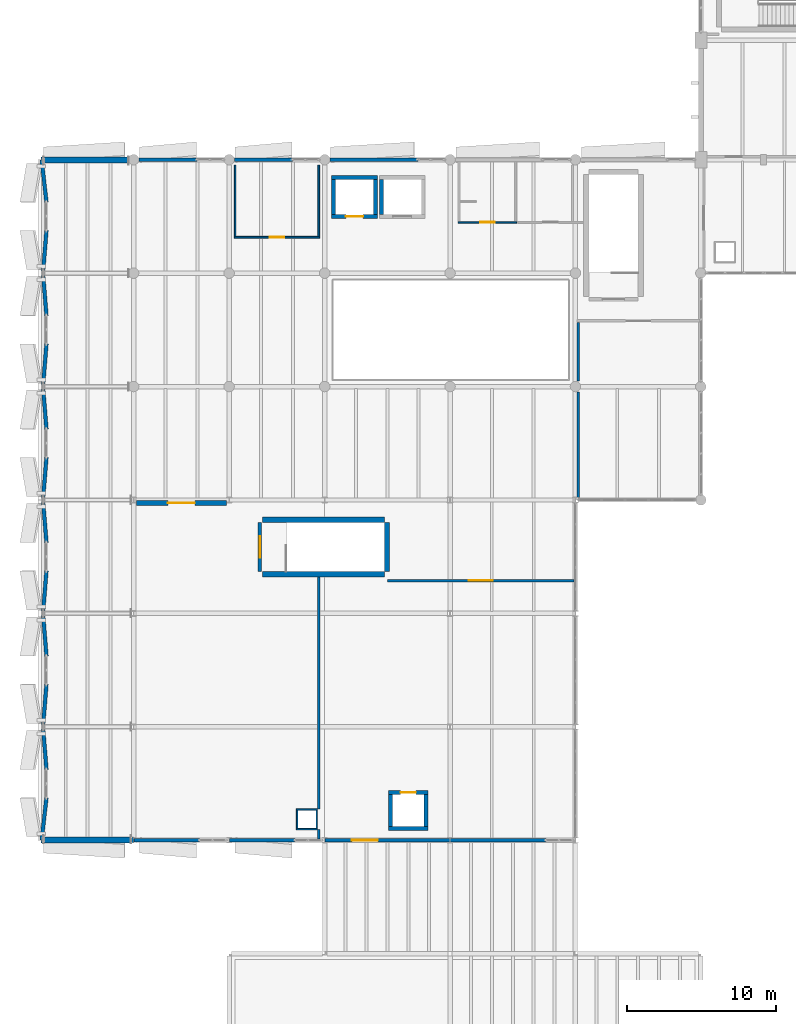
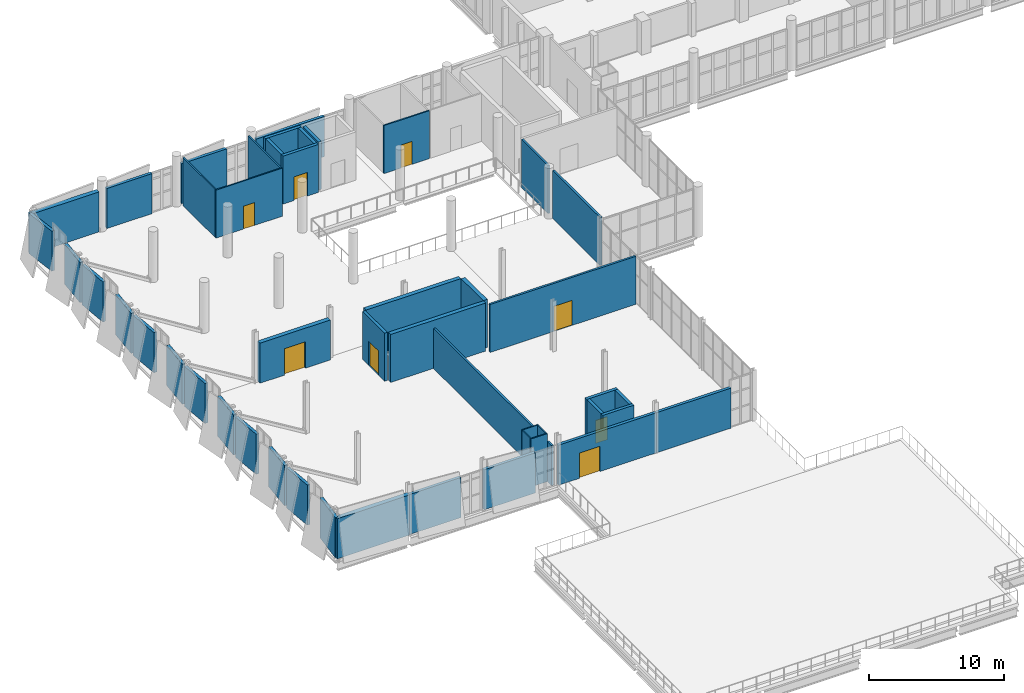
# One storey, part 59 of 74: 48 walls, 8 doors, 8 openings.
"""IFC4 building model written with IfcOpenShell, lengths in metres."""

from ifc_helpers import new_model, si_unit, direction, frame, frame_2d, origin, place, context, subcontext, project, spatial, rectangle, extrude, material, layer, layer_set, type_object, element, fill, save


model = new_model("IFC4")

# Units and contexts
model_context = context("Model", 3, precision=1e-05, world=origin(), true_north=direction((0.0, 1.0)))
body_context = subcontext(model_context, "Body", "Model", "MODEL_VIEW")
ifc_project = project(units=[si_unit("LENGTHUNIT", "METRE"), si_unit("AREAUNIT", "SQUARE_METRE"), si_unit("VOLUMEUNIT", "CUBIC_METRE"), si_unit("PLANEANGLEUNIT", "RADIAN"), si_unit("MASSUNIT", "GRAM", prefix="KILO")], contexts=[model_context])

# Site, building, storey
site_placement = place(None, origin())
site = spatial("IfcSite", under=ifc_project, at=site_placement, CompositionType="ELEMENT")
building_placement = place(site_placement, origin())
building = spatial("IfcBuilding", under=site, at=building_placement, Name="Shengluoqiao Park Theatre", CompositionType="ELEMENT")
storey_placement = place(building_placement, frame((0.0, 0.0, 14.60009765625)))
storey = spatial("IfcBuildingStorey", under=building, at=storey_placement, Name="L03", CompositionType="ELEMENT", Elevation=14.60009765625)

# Walls
ifc_material_1 = material(Name="Concrete C45", Category="concrete")
ifc_layer_1 = layer(ifc_material_1, 0.3798828125, Name="Concrete C45")
ifc_layer_set_1 = layer_set([ifc_layer_1], Name="Concrete C45")
wall_type_1 = type_object("IfcWallType", Name="ENV-WL-CONC380", PredefinedType="STANDARD", material=ifc_layer_set_1)
wall_1_placement = place(storey_placement, frame((0.179931640625, 30.419921875, 0.0), z_axis=(0.0, 0.0, 1.0), x_axis=(1.0, 0.0, 0.0)))
element("IfcWall", 1, at=wall_1_placement, inside=storey, type_object=wall_type_1, Name="L03 Exterior Wall 0101", PredefinedType="STANDARD", context=body_context, shape_type="SweptSolid", body=[
    extrude(rectangle(XDim=6.2099609375, YDim=0.3798828125, at=frame_2d((3.10498046875, 0.0))), origin(), (0.0, 0.0, 1.0), 3.637939453125),
])
wall_2_placement = place(storey_placement, frame((0.179931640625, 75.97998046875, 0.0), z_axis=(0.0, 0.0, 1.0), x_axis=(1.0, 0.0, 0.0)))
element("IfcWall", 2, at=wall_2_placement, inside=storey, type_object=wall_type_1, Name="L03 Exterior Wall 0125", PredefinedType="STANDARD", context=body_context, shape_type="SweptSolid", body=[
    extrude(rectangle(XDim=5.865966796875, YDim=0.3798828125, at=frame_2d((2.93310546875, 0.0))), origin(), (0.0, 0.0, 1.0), 3.637939453125),
])
ifc_material_2 = material(Name="Precast concrete C45", Category="concrete")
ifc_layer_2 = layer(ifc_material_2, 0.25, Name="Precast concrete C45")
ifc_layer_set_2 = layer_set([ifc_layer_2], Name="Precast concrete C45")
wall_type_2 = type_object("IfcWallType", Name="ENV-WL-CRYS250", PredefinedType="STANDARD", material=ifc_layer_set_2)
wall_3_placement = place(storey_placement, frame((6.409912109375, 30.39990234375, 0.0), z_axis=(0.0, 0.0, 1.0), x_axis=(1.0, 0.0, 0.0)))
element("IfcWall", 3, at=wall_3_placement, inside=storey, type_object=wall_type_2, Name="L03 Exterior Wall 0102", PredefinedType="STANDARD", context=body_context, shape_type="SweptSolid", body=[
    extrude(rectangle(XDim=4.412109375, YDim=0.25, at=frame_2d((2.2060546875, 0.0))), origin(), (0.0, 0.0, 1.0), 3.637939453125),
])
wall_4_placement = place(storey_placement, frame((12.81005859375, 30.39990234375, 0.0), z_axis=(0.0, 0.0, 1.0), x_axis=(1.0, 0.0, 0.0)))
element("IfcWall", 4, at=wall_4_placement, inside=storey, type_object=wall_type_2, Name="L03 Exterior Wall 0103", PredefinedType="STANDARD", context=body_context, shape_type="SweptSolid", body=[
    extrude(rectangle(XDim=4.411865234375, YDim=0.25, at=frame_2d((2.2060546875, 0.0))), origin(), (0.0, 0.0, 1.0), 3.637939453125),
])

# Wall, opening, door
wall_5_placement = place(storey_placement, frame((19.2099609375, 30.39990234375, 0.0), z_axis=(0.0, 0.0, 1.0), x_axis=(1.0, 0.0, 0.0)))
wall_5 = element("IfcWall", 5, at=wall_5_placement, inside=storey, type_object=wall_type_2, Name="L03 Exterior Wall 0104", PredefinedType="STANDARD", context=body_context, shape_type="SweptSolid", body=[
    extrude(rectangle(XDim=8.380126953125, YDim=0.25, at=frame_2d((4.18994140625, 0.0))), origin(), (0.0, 0.0, 1.0), 3.637939453125),
])
opening_1_placement = place(wall_5_placement, frame((1.806640625, 0.0, 0.0)))
opening_1 = element("IfcOpeningElement", 6, at=opening_1_placement, cuts=wall_5, Name="Opening TD-RG4-006", PredefinedType="OPENING", context=body_context, shape_type="SweptSolid", body=[
    extrude(rectangle(XDim=1.75, YDim=2.300048828125, at=frame_2d((0.875, 1.14990234375))), frame((0.0, 0.135009765625, 0.0), z_axis=(0.0, -1.0, 0.0), x_axis=(1.0, 0.0, 0.0)), (0.0, 0.0, 1.0), 0.27001953125),
])
ifc_material_3 = material(Name="Aluminium 6063-T6", Category="aluminium")
door_type_1 = type_object("IfcDoorType", Name="ENV-DR-TER175", OperationType="DOUBLE_DOOR_SINGLE_SWING", PredefinedType="DOOR", material=ifc_material_3)
door_1_placement = place(opening_1_placement, origin())
door_1 = element("IfcDoor", 7, at=door_1_placement, inside=storey, type_object=door_type_1, Name="V4 Roof Garden Salon Terrace Door TD-RG4-006", OperationType="DOUBLE_DOOR_SINGLE_SWING", OverallHeight=2.300048828125, OverallWidth=1.75, PredefinedType="DOOR", context=body_context, shape_type="SweptSolid", body=[
    extrude(rectangle(XDim=1.75, YDim=2.300048828125, at=frame_2d((0.875, 1.14990234375))), frame((0.0, 0.02490234375, 0.0), z_axis=(0.0, -1.0, 0.0), x_axis=(1.0, 0.0, 0.0)), (0.0, 0.0, 1.0), 0.050048828125),
])
fill(opening_1, door_1)

# Walls
wall_6_placement = place(storey_placement, frame((27.610107421875, 30.39990234375, 0.0), z_axis=(0.0, 0.0, 1.0), x_axis=(1.0, 0.0, 0.0)))
element("IfcWall", 8, at=wall_6_placement, inside=storey, type_object=wall_type_2, Name="L03 Exterior Wall 0105", PredefinedType="STANDARD", context=body_context, shape_type="SweptSolid", body=[
    extrude(rectangle(XDim=6.411865234375, YDim=0.25, at=frame_2d((3.2060546875, 0.0))), origin(), (0.0, 0.0, 1.0), 3.637939453125),
])
wall_7_placement = place(storey_placement, frame((6.75390625, 76.0, 0.0), z_axis=(0.0, 0.0, 1.0), x_axis=(1.0, 0.0, 0.0)))
element("IfcWall", 9, at=wall_7_placement, inside=storey, type_object=wall_type_2, Name="L03 Exterior Wall 0126", PredefinedType="STANDARD", context=body_context, shape_type="SweptSolid", body=[
    extrude(rectangle(XDim=3.89208984375, YDim=0.25, at=frame_2d((1.946044921875, 0.0))), origin(), (0.0, 0.0, 1.0), 3.637939453125),
])
wall_8_placement = place(storey_placement, frame((13.154052734375, 76.0, 0.0), z_axis=(0.0, 0.0, 1.0), x_axis=(1.0, 0.0, 0.0)))
element("IfcWall", 10, at=wall_8_placement, inside=storey, type_object=wall_type_2, Name="L03 Exterior Wall 0127", PredefinedType="STANDARD", context=body_context, shape_type="SweptSolid", body=[
    extrude(rectangle(XDim=3.891845703125, YDim=0.25, at=frame_2d((1.94580078125, 0.0))), origin(), (0.0, 0.0, 1.0), 3.637939453125),
])
wall_9_placement = place(storey_placement, frame((19.553955078125, 76.0, 0.0), z_axis=(0.0, 0.0, 1.0), x_axis=(1.0, 0.0, 0.0)))
element("IfcWall", 11, at=wall_9_placement, inside=storey, type_object=wall_type_2, Name="L03 Exterior Wall 0128", PredefinedType="STANDARD", context=body_context, shape_type="SweptSolid", body=[
    extrude(rectangle(XDim=5.89208984375, YDim=0.25, at=frame_2d((2.946044921875, 0.0))), origin(), (0.0, 0.0, 1.0), 3.637939453125),
])
wall_10_placement = place(storey_placement, frame((0.239990234375, 30.419921875, 0.0), z_axis=(0.0, 0.0, 1.0), x_axis=(0.111987730746, 0.993709589449, 0.0)))
element("IfcWall", 12, at=wall_10_placement, inside=storey, type_object=wall_type_2, Name="L03 Exterior Wall 0350", PredefinedType="STANDARD", context=body_context, shape_type="SweptSolid", body=[
    extrude(rectangle(XDim=2.858154296875, YDim=0.25, at=frame_2d((1.42919921875, 0.0))), origin(), (0.0, 0.0, 1.0), 3.637939453125),
])
for number, where, z_axis, x_axis, name in (
    (13, (0.56005859375, 35.139892578125, 0.0), (0.0, 0.0, 1.0), (-0.080753299301, 0.996734119338, 0.0), "L03 Exterior Wall 0351"),
    (14, (0.340087890625, 38.14501953125, 0.0), (0.0, 0.0, 1.0), (0.080753299301, 0.996734119338, 0.0), "L03 Exterior Wall 0352"),
    (15, (0.56005859375, 42.739990234375, 0.0), (0.0, 0.0, 1.0), (-0.080753299301, 0.996734119338, 0.0), "L03 Exterior Wall 0353"),
):
    element("IfcWall", number, at=place(storey_placement, frame(where, z_axis=z_axis, x_axis=x_axis)), inside=storey, type_object=wall_type_2, Name=name, PredefinedType="STANDARD", context=body_context, shape_type="SweptSolid", body=[
        extrude(rectangle(XDim=2.723876953125, YDim=0.25, at=frame_2d((1.36181640625, 0.0))), origin(), (0.0, 0.0, 1.0), 3.637939453125),
    ])
for number, where, z_axis, x_axis, name in (
    (16, (0.340087890625, 45.7451171875, 0.0), (0.0, 0.0, 1.0), (0.080760513926, 0.996733534798, 0.0), "L03 Exterior Wall 0354"),
    (17, (0.56005859375, 50.340087890625, 0.0), (0.0, 0.0, 1.0), (-0.080760513926, 0.996733534798, 0.0), "L03 Exterior Wall 0355"),
):
    element("IfcWall", number, at=place(storey_placement, frame(where, z_axis=z_axis, x_axis=x_axis)), inside=storey, type_object=wall_type_2, Name=name, PredefinedType="STANDARD", context=body_context, shape_type="SweptSolid", body=[
        extrude(rectangle(XDim=2.7236328125, YDim=0.25, at=frame_2d((1.36181640625, 0.0))), origin(), (0.0, 0.0, 1.0), 3.637939453125),
    ])
for number, where, z_axis, x_axis, name in (
    (18, (0.340087890625, 53.344970703125, 0.0), (0.0, 0.0, 1.0), (0.080753299301, 0.996734119338, 0.0), "L03 Exterior Wall 0356"),
    (19, (0.56005859375, 57.93994140625, 0.0), (0.0, 0.0, 1.0), (-0.080753299301, 0.996734119338, 0.0), "L03 Exterior Wall 0357"),
):
    element("IfcWall", number, at=place(storey_placement, frame(where, z_axis=z_axis, x_axis=x_axis)), inside=storey, type_object=wall_type_2, Name=name, PredefinedType="STANDARD", context=body_context, shape_type="SweptSolid", body=[
        extrude(rectangle(XDim=2.723876953125, YDim=0.25, at=frame_2d((1.36181640625, 0.0))), origin(), (0.0, 0.0, 1.0), 3.637939453125),
    ])
for number, where, z_axis, x_axis, name in (
    (20, (0.340087890625, 60.945068359375, 0.0), (0.0, 0.0, 1.0), (0.080760513926, 0.996733534798, 0.0), "L03 Exterior Wall 0358"),
    (21, (0.56005859375, 65.5400390625, 0.0), (0.0, 0.0, 1.0), (-0.080760513926, 0.996733534798, 0.0), "L03 Exterior Wall 0359"),
):
    element("IfcWall", number, at=place(storey_placement, frame(where, z_axis=z_axis, x_axis=x_axis)), inside=storey, type_object=wall_type_2, Name=name, PredefinedType="STANDARD", context=body_context, shape_type="SweptSolid", body=[
        extrude(rectangle(XDim=2.7236328125, YDim=0.25, at=frame_2d((1.36181640625, 0.0))), origin(), (0.0, 0.0, 1.0), 3.637939453125),
    ])
wall_11_placement = place(storey_placement, frame((0.340087890625, 68.544921875, 0.0), z_axis=(0.0, 0.0, 1.0), x_axis=(0.080753299301, 0.996734119338, 0.0)))
element("IfcWall", 22, at=wall_11_placement, inside=storey, type_object=wall_type_2, Name="L03 Exterior Wall 0360", PredefinedType="STANDARD", context=body_context, shape_type="SweptSolid", body=[
    extrude(rectangle(XDim=2.723876953125, YDim=0.25, at=frame_2d((1.36181640625, 0.0))), origin(), (0.0, 0.0, 1.0), 3.637939453125),
])
wall_12_placement = place(storey_placement, frame((0.56005859375, 73.139892578125, 0.0), z_axis=(0.0, 0.0, 1.0), x_axis=(-0.111987730746, 0.993709589449, 0.0)))
element("IfcWall", 23, at=wall_12_placement, inside=storey, type_object=wall_type_2, Name="L03 Exterior Wall 0361", PredefinedType="STANDARD", context=body_context, shape_type="SweptSolid", body=[
    extrude(rectangle(XDim=2.858154296875, YDim=0.25, at=frame_2d((1.42919921875, 0.0))), origin(), (0.0, 0.0, 1.0), 3.637939453125),
])

# Wall, opening, door
ifc_material_4 = material(Name="Gypsum acoustic stud", Category="gypsum")
ifc_layer_3 = layer(ifc_material_4, 0.360107421875, Name="Gypsum acoustic stud")
ifc_layer_set_3 = layer_set([ifc_layer_3], Name="Gypsum acoustic stud")
wall_type_3 = type_object("IfcWallType", Name="INT-WL-ACO360", PredefinedType="PARTITIONING", material=ifc_layer_set_3)
wall_13_placement = place(storey_placement, frame((6.580078125, 53.0, 0.0), z_axis=(0.0, 0.0, 1.0), x_axis=(1.0, 0.0, 0.0)))
wall_13 = element("IfcWall", 24, at=wall_13_placement, inside=storey, type_object=wall_type_3, Name="Chamber Recital and Lecture Hall Partition N", PredefinedType="PARTITIONING", context=body_context, shape_type="SweptSolid", body=[
    extrude(rectangle(XDim=6.037841796875, YDim=0.360107421875, at=frame_2d((3.01904296875, 0.0))), origin(), (0.0, 0.0, 1.0), 3.637939453125),
])
opening_2_placement = place(wall_13_placement, frame((2.118896484375, 0.0, 0.0)))
opening_2 = element("IfcOpeningElement", 25, at=opening_2_placement, cuts=wall_13, Name="Opening D-L03-086", PredefinedType="OPENING", context=body_context, shape_type="SweptSolid", body=[
    extrude(rectangle(XDim=1.800048828125, YDim=2.39990234375, at=frame_2d((0.89990234375, 1.199951171875))), frame((0.0, 0.18994140625, 0.0), z_axis=(0.0, -1.0, 0.0), x_axis=(1.0, 0.0, 0.0)), (0.0, 0.0, 1.0), 0.380126953125),
])
ifc_material_5 = material(Name="Acoustic timber", Category="wood")
door_type_2 = type_object("IfcDoorType", Name="INT-DR-AUD180", OperationType="DOUBLE_DOOR_SINGLE_SWING", PredefinedType="DOOR", material=ifc_material_5)
door_2_placement = place(opening_2_placement, origin())
door_2 = element("IfcDoor", 26, at=door_2_placement, inside=storey, type_object=door_type_2, Name="Chamber Recital and Lecture Hall Door D-L03-086", OperationType="DOUBLE_DOOR_SINGLE_SWING", OverallHeight=2.39990234375, OverallWidth=1.800048828125, PredefinedType="DOOR", context=body_context, shape_type="SweptSolid", body=[
    extrude(rectangle(XDim=1.800048828125, YDim=2.39990234375, at=frame_2d((0.89990234375, 1.199951171875))), frame((0.0, 0.02490234375, 0.0), z_axis=(0.0, -1.0, 0.0), x_axis=(1.0, 0.0, 0.0)), (0.0, 0.0, 1.0), 0.050048828125),
])
fill(opening_2, door_2)

ifc_layer_4 = layer(ifc_material_4, 0.175048828125, Name="Gypsum acoustic stud")
ifc_layer_set_4 = layer_set([ifc_layer_4], Name="Gypsum acoustic stud")
wall_type_4 = type_object("IfcWallType", Name="INT-WL-COR175", PredefinedType="PARTITIONING", material=ifc_layer_set_4)
wall_14_placement = place(storey_placement, frame((23.39501953125, 47.800048828125, 0.0), z_axis=(0.0, 0.0, 1.0), x_axis=(1.0, 0.0, 0.0)))
wall_14 = element("IfcWall", 27, at=wall_14_placement, inside=storey, type_object=wall_type_4, Name="Chamber Recital South Foyer Partition N", PredefinedType="PARTITIONING", context=body_context, shape_type="SweptSolid", body=[
    extrude(rectangle(XDim=12.51708984375, YDim=0.175048828125, at=frame_2d((6.258544921875, 0.0))), origin(), (0.0, 0.0, 1.0), 4.35986328125),
])
opening_3_placement = place(wall_14_placement, frame((5.468505859375, 0.0, 0.0)))
opening_3 = element("IfcOpeningElement", 28, at=opening_3_placement, cuts=wall_14, Name="Opening D-L03-085", PredefinedType="OPENING", context=body_context, shape_type="SweptSolid", body=[
    extrude(rectangle(XDim=1.580078125, YDim=2.280029296875, at=frame_2d((0.7900390625, 1.14013671875))), frame((0.0, 0.097412109375, 0.0), z_axis=(0.0, -1.0, 0.0), x_axis=(1.0, 0.0, 0.0)), (0.0, 0.0, 1.0), 0.195068359375),
])
door_type_3 = type_object("IfcDoorType", Name="INT-DR-FOY158", OperationType="DOUBLE_DOOR_SINGLE_SWING", PredefinedType="DOOR", material=ifc_material_3)
door_3_placement = place(opening_3_placement, origin())
door_3 = element("IfcDoor", 29, at=door_3_placement, inside=storey, type_object=door_type_3, Name="Chamber Recital South Foyer Door D-L03-085", OperationType="DOUBLE_DOOR_SINGLE_SWING", OverallHeight=2.280029296875, OverallWidth=1.580078125, PredefinedType="DOOR", context=body_context, shape_type="SweptSolid", body=[
    extrude(rectangle(XDim=1.580078125, YDim=2.280029296875, at=frame_2d((0.7900390625, 1.14013671875))), frame((0.0, 0.02490234375, 0.0), z_axis=(0.0, -1.0, 0.0), x_axis=(1.0, 0.0, 0.0)), (0.0, 0.0, 1.0), 0.050048828125),
])
fill(opening_3, door_3)

# Walls
wall_15_placement = place(storey_placement, frame((18.800048828125, 30.488037109375, 0.0), z_axis=(0.0, 0.0, 1.0), x_axis=(0.0, 1.0, 0.0)))
element("IfcWall", 30, at=wall_15_placement, inside=storey, type_object=wall_type_4, Name="Chamber Recital South Foyer Partition W", PredefinedType="PARTITIONING", context=body_context, shape_type="SweptSolid", body=[
    extrude(rectangle(XDim=0.6494140625, YDim=0.175048828125, at=frame_2d((0.32470703125, 0.0))), origin(), (0.0, 0.0, 1.0), 3.637939453125),
])
wall_16_placement = place(storey_placement, frame((18.800048828125, 32.482421875, 0.0), z_axis=(0.0, 0.0, 1.0), x_axis=(0.0, 1.0, 0.0)))
element("IfcWall", 31, at=wall_16_placement, inside=storey, type_object=wall_type_4, Name="Chamber Recital South Foyer Partition W", PredefinedType="PARTITIONING", context=body_context, shape_type="SweptSolid", body=[
    extrude(rectangle(XDim=15.5546875, YDim=0.175048828125, at=frame_2d((7.77734375, 0.0))), origin(), (0.0, 0.0, 1.0), 3.637939453125),
])
wall_17_placement = place(storey_placement, frame((36.199951171875, 53.3798828125, 0.0), z_axis=(0.0, 0.0, 1.0), x_axis=(0.0, 1.0, 0.0)))
element("IfcWall", 32, at=wall_17_placement, inside=storey, type_object=wall_type_4, Name="Sky Atrium East Reception Salon Partition W", PredefinedType="PARTITIONING", context=body_context, shape_type="SweptSolid", body=[
    extrude(rectangle(XDim=7.064208984375, YDim=0.175048828125, at=frame_2d((3.5322265625, 0.0))), origin(), (0.0, 0.0, 1.0), 4.35986328125),
])
wall_18_placement = place(storey_placement, frame((36.199951171875, 61.156005859375, 0.0), z_axis=(0.0, 0.0, 1.0), x_axis=(0.0, 1.0, 0.0)))
element("IfcWall", 33, at=wall_18_placement, inside=storey, type_object=wall_type_4, Name="Sky Atrium East Reception Salon Partition W", PredefinedType="PARTITIONING", context=body_context, shape_type="SweptSolid", body=[
    extrude(rectangle(XDim=3.950439453125, YDim=0.175048828125, at=frame_2d((1.97509765625, 0.0))), origin(), (0.0, 0.0, 1.0), 4.35986328125),
])
ifc_material_6 = material(Name="Gypsum shaftwall", Category="gypsum")
ifc_layer_5 = layer(ifc_material_6, 0.094970703125, Name="Gypsum shaftwall")
ifc_layer_set_5 = layer_set([ifc_layer_5], Name="Gypsum shaftwall")
wall_type_5 = type_object("IfcWallType", Name="INT-WL-RSR095", PredefinedType="PARTITIONING", material=ifc_layer_set_5)
for number, where, z_axis, x_axis, name in (
    (34, (17.304931640625, 31.14990234375, 0.0), (0.0, 0.0, 1.0), (1.0, 0.0, 0.0), "L03 Service Riser Shaftwall 157"),
    (35, (17.304931640625, 32.469970703125, 0.0), (0.0, 0.0, 1.0), (1.0, 0.0, 0.0), "L03 Service Riser Shaftwall 158"),
):
    element("IfcWall", number, at=place(storey_placement, frame(where, z_axis=z_axis, x_axis=x_axis)), inside=storey, type_object=wall_type_5, Name=name, PredefinedType="PARTITIONING", context=body_context, shape_type="SweptSolid", body=[
        extrude(rectangle(XDim=1.41015625, YDim=0.094970703125, at=frame_2d((0.705078125, 0.0))), origin(), (0.0, 0.0, 1.0), 4.35986328125),
    ])
for number, where, z_axis, x_axis, name in (
    (36, (17.35009765625, 31.205078125, 0.0), (0.0, 0.0, 1.0), (0.0, 1.0, 0.0), "L03 Service Riser Shaftwall 159"),
    (37, (18.669921875, 31.205078125, 0.0), (0.0, 0.0, 1.0), (0.0, 1.0, 0.0), "L03 Service Riser Shaftwall 160"),
):
    element("IfcWall", number, at=place(storey_placement, frame(where, z_axis=z_axis, x_axis=x_axis)), inside=storey, type_object=wall_type_5, Name=name, PredefinedType="PARTITIONING", context=body_context, shape_type="SweptSolid", body=[
        extrude(rectangle(XDim=1.2099609375, YDim=0.094970703125, at=frame_2d((0.60498046875, 0.0))), origin(), (0.0, 0.0, 1.0), 4.35986328125),
    ])

# Wall, opening, door
ifc_material_7 = material(Name="Concrete C40", Category="concrete")
ifc_layer_6 = layer(ifc_material_7, 0.260009765625, Name="Concrete C40")
ifc_layer_set_6 = layer_set([ifc_layer_6], Name="Concrete C40")
wall_type_6 = type_object("IfcWallType", Name="INT-WL-SHF260", PredefinedType="STANDARD", material=ifc_layer_set_6)
wall_19_placement = place(storey_placement, frame((19.669921875, 72.199951171875, 0.0), z_axis=(0.0, 0.0, 1.0), x_axis=(1.0, 0.0, 0.0)))
wall_19 = element("IfcWall", 38, at=wall_19_placement, inside=storey, type_object=wall_type_6, Name="L03 PL1 Lift Shaft Wall South", PredefinedType="STANDARD", context=body_context, shape_type="SweptSolid", body=[
    extrude(rectangle(XDim=3.06005859375, YDim=0.260009765625, at=frame_2d((1.530029296875, 0.0))), origin(), (0.0, 0.0, 1.0), 4.35986328125),
])
opening_4_placement = place(wall_19_placement, frame((0.955078125, 0.0, 0.0)))
opening_4 = element("IfcOpeningElement", 39, at=opening_4_placement, cuts=wall_19, Name="Opening LD-PL1-L03", PredefinedType="OPENING", context=body_context, shape_type="SweptSolid", body=[
    extrude(rectangle(XDim=1.14990234375, YDim=2.14990234375, at=frame_2d((0.574951171875, 1.074951171875))), frame((0.0, 0.139892578125, 0.0), z_axis=(0.0, -1.0, 0.0), x_axis=(1.0, 0.0, 0.0)), (0.0, 0.0, 1.0), 0.280029296875),
])
ifc_material_8 = material(Name="Stainless steel 304", Category="steel")
door_type_4 = type_object("IfcDoorType", Name="INT-DR-LD115", OperationType="SLIDING_TO_LEFT", PredefinedType="DOOR", material=ifc_material_8)
door_4_placement = place(opening_4_placement, origin())
door_4 = element("IfcDoor", 40, at=door_4_placement, inside=storey, type_object=door_type_4, Name="PL1 Lift Landing Door LD-PL1-L03", OperationType="SLIDING_TO_LEFT", OverallHeight=2.14990234375, OverallWidth=1.14990234375, PredefinedType="DOOR", context=body_context, shape_type="SweptSolid", body=[
    extrude(rectangle(XDim=1.14990234375, YDim=2.14990234375, at=frame_2d((0.574951171875, 1.074951171875))), frame((0.0, 0.02490234375, 0.0), z_axis=(0.0, -1.0, 0.0), x_axis=(1.0, 0.0, 0.0)), (0.0, 0.0, 1.0), 0.050048828125),
])
fill(opening_4, door_4)

# Walls
wall_20_placement = place(storey_placement, frame((19.669921875, 74.800048828125, 0.0), z_axis=(0.0, 0.0, 1.0), x_axis=(1.0, 0.0, 0.0)))
element("IfcWall", 41, at=wall_20_placement, inside=storey, type_object=wall_type_6, Name="L03 PL1 Lift Shaft Wall North", PredefinedType="STANDARD", context=body_context, shape_type="SweptSolid", body=[
    extrude(rectangle(XDim=3.06005859375, YDim=0.260009765625, at=frame_2d((1.530029296875, 0.0))), origin(), (0.0, 0.0, 1.0), 4.35986328125),
])
for number, where, z_axis, x_axis, name in (
    (42, (19.800048828125, 72.3359375, 0.0), (0.0, 0.0, 1.0), (0.0, 1.0, 0.0), "L03 PL1 Lift Shaft Wall West"),
    (43, (22.60009765625, 72.3359375, 0.0), (0.0, 0.0, 1.0), (0.0, 1.0, 0.0), "L03 PL1 Lift Shaft Wall East"),
    (44, (23.0, 72.3359375, 0.0), (0.0, 0.0, 1.0), (0.0, 1.0, 0.0), "L03 PL2 Lift Shaft Wall West"),
):
    element("IfcWall", number, at=place(storey_placement, frame(where, z_axis=z_axis, x_axis=x_axis)), inside=storey, type_object=wall_type_6, Name=name, PredefinedType="STANDARD", context=body_context, shape_type="SweptSolid", body=[
        extrude(rectangle(XDim=2.328125, YDim=0.260009765625, at=frame_2d((1.1640625, 0.0))), origin(), (0.0, 0.0, 1.0), 4.35986328125),
    ])
wall_21_placement = place(storey_placement, frame((23.469970703125, 31.199951171875, 0.0), z_axis=(0.0, 0.0, 1.0), x_axis=(1.0, 0.0, 0.0)))
element("IfcWall", 45, at=wall_21_placement, inside=storey, type_object=wall_type_6, Name="L03 SL1 Lift Shaft Wall South", PredefinedType="STANDARD", context=body_context, shape_type="SweptSolid", body=[
    extrude(rectangle(XDim=2.659912109375, YDim=0.260009765625, at=frame_2d((1.330078125, 0.0))), origin(), (0.0, 0.0, 1.0), 4.35986328125),
])

# Wall, opening, door
wall_22_placement = place(storey_placement, frame((23.469970703125, 33.60009765625, 0.0), z_axis=(0.0, 0.0, 1.0), x_axis=(1.0, 0.0, 0.0)))
wall_22 = element("IfcWall", 46, at=wall_22_placement, inside=storey, type_object=wall_type_6, Name="L03 SL1 Lift Shaft Wall North", PredefinedType="STANDARD", context=body_context, shape_type="SweptSolid", body=[
    extrude(rectangle(XDim=2.659912109375, YDim=0.260009765625, at=frame_2d((1.330078125, 0.0))), origin(), (0.0, 0.0, 1.0), 4.35986328125),
])
opening_5_placement = place(wall_22_placement, frame((0.820068359375, 0.0, 0.0)))
opening_5 = element("IfcOpeningElement", 47, at=opening_5_placement, cuts=wall_22, Name="Opening LD-SL1-L03", PredefinedType="OPENING", context=body_context, shape_type="SweptSolid", body=[
    extrude(rectangle(XDim=1.02001953125, YDim=2.10009765625, at=frame_2d((0.510009765625, 1.050048828125))), frame((0.0, 0.139892578125, 0.0), z_axis=(0.0, -1.0, 0.0), x_axis=(1.0, 0.0, 0.0)), (0.0, 0.0, 1.0), 0.280029296875),
])
door_type_5 = type_object("IfcDoorType", Name="INT-DR-LD102", OperationType="SLIDING_TO_LEFT", PredefinedType="DOOR", material=ifc_material_8)
door_5_placement = place(opening_5_placement, origin())
door_5 = element("IfcDoor", 48, at=door_5_placement, inside=storey, type_object=door_type_5, Name="SL1 Lift Landing Door LD-SL1-L03", OperationType="SLIDING_TO_LEFT", OverallHeight=2.10009765625, OverallWidth=1.02001953125, PredefinedType="DOOR", context=body_context, shape_type="SweptSolid", body=[
    extrude(rectangle(XDim=1.02001953125, YDim=2.10009765625, at=frame_2d((0.510009765625, 1.050048828125))), frame((0.0, 0.02490234375, 0.0), z_axis=(0.0, -1.0, 0.0), x_axis=(1.0, 0.0, 0.0)), (0.0, 0.0, 1.0), 0.050048828125),
])
fill(opening_5, door_5)

# Walls
for number, where, z_axis, x_axis, name in (
    (49, (23.60009765625, 31.3359375, 0.0), (0.0, 0.0, 1.0), (0.0, 1.0, 0.0), "L03 SL1 Lift Shaft Wall West"),
    (50, (26.0, 31.3359375, 0.0), (0.0, 0.0, 1.0), (0.0, 1.0, 0.0), "L03 SL1 Lift Shaft Wall East"),
):
    element("IfcWall", number, at=place(storey_placement, frame(where, z_axis=z_axis, x_axis=x_axis)), inside=storey, type_object=wall_type_6, Name=name, PredefinedType="STANDARD", context=body_context, shape_type="SweptSolid", body=[
        extrude(rectangle(XDim=2.128173828125, YDim=0.260009765625, at=frame_2d((1.06396484375, 0.0))), origin(), (0.0, 0.0, 1.0), 4.35986328125),
    ])

# Wall, opening, door
ifc_layer_7 = layer(ifc_material_7, 0.239990234375, Name="Concrete C40")
ifc_layer_set_7 = layer_set([ifc_layer_7], Name="Concrete C40")
wall_type_7 = type_object("IfcWallType", Name="INT-WL-STW240", PredefinedType="STANDARD", material=ifc_layer_set_7)
wall_23_placement = place(storey_placement, frame((14.860107421875, 48.409912109375, 0.0), z_axis=(0.0, 0.0, 1.0), x_axis=(0.0, 1.0, 0.0)))
wall_23 = element("IfcWall", 51, at=wall_23_placement, inside=storey, type_object=wall_type_7, Name="L03 ST-13 Stairwell Fire Wall", PredefinedType="STANDARD", context=body_context, shape_type="SweptSolid", body=[
    extrude(rectangle(XDim=3.280029296875, YDim=0.239990234375, at=frame_2d((1.64013671875, 0.0))), origin(), (0.0, 0.0, 1.0), 4.35986328125),
])
opening_6_placement = place(wall_23_placement, frame((0.9150390625, 0.0, 0.0)))
opening_6 = element("IfcOpeningElement", 52, at=opening_6_placement, cuts=wall_23, Name="Opening SD-13-L03", PredefinedType="OPENING", context=body_context, shape_type="SweptSolid", body=[
    extrude(rectangle(XDim=1.449951171875, YDim=2.199951171875, at=frame_2d((0.72509765625, 1.10009765625))), frame((0.0, 0.1298828125, 0.0), z_axis=(0.0, -1.0, 0.0), x_axis=(1.0, 0.0, 0.0)), (0.0, 0.0, 1.0), 0.260009765625),
])
ifc_material_9 = material(Name="Steel Q355", Category="steel")
door_type_6 = type_object("IfcDoorType", Name="INT-DR-STW145", OperationType="DOUBLE_DOOR_SINGLE_SWING", PredefinedType="DOOR", material=ifc_material_9)
door_6_placement = place(opening_6_placement, origin())
door_6 = element("IfcDoor", 53, at=door_6_placement, inside=storey, type_object=door_type_6, Name="L03 ST-13 Escape Stair Door SD-13-L03", OperationType="DOUBLE_DOOR_SINGLE_SWING", OverallHeight=2.199951171875, OverallWidth=1.449951171875, PredefinedType="DOOR", context=body_context, shape_type="SweptSolid", body=[
    extrude(rectangle(XDim=1.449951171875, YDim=2.199951171875, at=frame_2d((0.72509765625, 1.10009765625))), frame((0.0, 0.02490234375, 0.0), z_axis=(0.0, -1.0, 0.0), x_axis=(1.0, 0.0, 0.0)), (0.0, 0.0, 1.0), 0.050048828125),
])
fill(opening_6, door_6)

ifc_material_10 = material(Name="Moisture-resistant board")
ifc_layer_8 = layer(ifc_material_10, 0.114990234375, Name="Moisture-resistant board")
ifc_layer_set_8 = layer_set([ifc_layer_8], Name="Moisture-resistant board")
wall_type_8 = type_object("IfcWallType", Name="INT-WL-WCP115", PredefinedType="PARTITIONING", material=ifc_layer_set_8)
wall_24_placement = place(storey_placement, frame((13.142578125, 70.800048828125, 0.0), z_axis=(0.0, 0.0, 1.0), x_axis=(1.0, 0.0, 0.0)))
wall_24 = element("IfcWall", 54, at=wall_24_placement, inside=storey, type_object=wall_type_8, Name="Third Floor Public Female WC Partition S", PredefinedType="PARTITIONING", context=body_context, shape_type="SweptSolid", body=[
    extrude(rectangle(XDim=5.71484375, YDim=0.114990234375, at=frame_2d((2.857421875, 0.0))), origin(), (0.0, 0.0, 1.0), 4.35986328125),
])
opening_7_placement = place(wall_24_placement, frame((2.37744140625, 0.0, 0.0)))
opening_7 = element("IfcOpeningElement", 55, at=opening_7_placement, cuts=wall_24, Name="Opening D-L03-075", PredefinedType="OPENING", context=body_context, shape_type="SweptSolid", body=[
    extrude(rectangle(XDim=0.9599609375, YDim=2.080078125, at=frame_2d((0.47998046875, 1.0400390625))), frame((0.0, 0.0673828125, 0.0), z_axis=(0.0, -1.0, 0.0), x_axis=(1.0, 0.0, 0.0)), (0.0, 0.0, 1.0), 0.135009765625),
])
ifc_material_11 = material(Name="Moisture-resistant laminate")
door_type_7 = type_object("IfcDoorType", Name="INT-DR-ACC096", OperationType="NOTDEFINED", PredefinedType="DOOR", material=ifc_material_11)
door_7_placement = place(opening_7_placement, origin())
door_7 = element("IfcDoor", 56, at=door_7_placement, inside=storey, type_object=door_type_7, Name="Third Floor Public Female WC Door D-L03-075", OperationType="SINGLE_SWING_LEFT", OverallHeight=2.080078125, OverallWidth=0.9599609375, PredefinedType="DOOR", context=body_context, shape_type="SweptSolid", body=[
    extrude(rectangle(XDim=0.9599609375, YDim=2.080078125, at=frame_2d((0.47998046875, 1.0400390625))), frame((0.0, 0.02490234375, 0.0), z_axis=(0.0, -1.0, 0.0), x_axis=(1.0, 0.0, 0.0)), (0.0, 0.0, 1.0), 0.050048828125),
])
fill(opening_7, door_7)

# Walls
for number, where, z_axis, x_axis, name in (
    (57, (13.199951171875, 70.863525390625, 0.0), (0.0, 0.0, 1.0), (0.0, 1.0, 0.0), "Third Floor Public Female WC Partition W"),
    (58, (18.800048828125, 70.863525390625, 0.0), (0.0, 0.0, 1.0), (0.0, 1.0, 0.0), "Third Floor Public Female WC Partition E"),
):
    element("IfcWall", number, at=place(storey_placement, frame(where, z_axis=z_axis, x_axis=x_axis)), inside=storey, type_object=wall_type_8, Name=name, PredefinedType="PARTITIONING", context=body_context, shape_type="SweptSolid", body=[
        extrude(rectangle(XDim=4.778564453125, YDim=0.114990234375, at=frame_2d((2.38916015625, 0.0))), origin(), (0.0, 0.0, 1.0), 4.35986328125),
    ])

# Wall, opening, door
wall_25_placement = place(storey_placement, frame((28.142578125, 71.800048828125, 0.0), z_axis=(0.0, 0.0, 1.0), x_axis=(1.0, 0.0, 0.0)))
wall_25 = element("IfcWall", 59, at=wall_25_placement, inside=storey, type_object=wall_type_8, Name="Third Floor Public Male WC Partition S", PredefinedType="PARTITIONING", context=body_context, shape_type="SweptSolid", body=[
    extrude(rectangle(XDim=3.9150390625, YDim=0.114990234375, at=frame_2d((1.95751953125, 0.0))), origin(), (0.0, 0.0, 1.0), 4.35986328125),
])
opening_8_placement = place(wall_25_placement, frame((1.4775390625, 0.0, 0.0)))
opening_8 = element("IfcOpeningElement", 60, at=opening_8_placement, cuts=wall_25, Name="Opening D-L03-076", PredefinedType="OPENING", context=body_context, shape_type="SweptSolid", body=[
    extrude(rectangle(XDim=0.9599609375, YDim=2.080078125, at=frame_2d((0.47998046875, 1.0400390625))), frame((0.0, 0.0673828125, 0.0), z_axis=(0.0, -1.0, 0.0), x_axis=(1.0, 0.0, 0.0)), (0.0, 0.0, 1.0), 0.135009765625),
])
door_8_placement = place(opening_8_placement, origin())
door_8 = element("IfcDoor", 61, at=door_8_placement, inside=storey, type_object=door_type_7, Name="Third Floor Public Male WC Door D-L03-076", OperationType="SINGLE_SWING_RIGHT", OverallHeight=2.080078125, OverallWidth=0.9599609375, PredefinedType="DOOR", context=body_context, shape_type="SweptSolid", body=[
    extrude(rectangle(XDim=0.9599609375, YDim=2.080078125, at=frame_2d((0.47998046875, 1.0400390625))), frame((0.0, 0.02490234375, 0.0), z_axis=(0.0, -1.0, 0.0), x_axis=(1.0, 0.0, 0.0)), (0.0, 0.0, 1.0), 0.050048828125),
])
fill(opening_8, door_8)

# Walls
ifc_material_12 = material(Name="Concrete C50", Category="concrete")
ifc_layer_9 = layer(ifc_material_12, 0.35009765625, Name="Concrete C50")
ifc_layer_set_9 = layer_set([ifc_layer_9], Name="Concrete C50")
wall_type_9 = type_object("IfcWallType", Name="STR-SW-CORE350", PredefinedType="SHEAR", material=ifc_layer_set_9)
wall_26_placement = place(storey_placement, frame((15.050048828125, 48.219970703125, 0.0), z_axis=(0.0, 0.0, 1.0), x_axis=(1.0, 0.0, 0.0)))
element("IfcWall", 62, at=wall_26_placement, inside=storey, type_object=wall_type_9, Name="L03 ST-13 Core Left Shear Wall 0178", PredefinedType="SHEAR", context=body_context, shape_type="SweptSolid", body=[
    extrude(rectangle(XDim=8.14990234375, YDim=0.35009765625, at=frame_2d((4.074951171875, 0.0))), origin(), (0.0, 0.0, 1.0), 4.35986328125),
])
wall_27_placement = place(storey_placement, frame((23.3798828125, 48.39990234375, 0.0), z_axis=(0.0, 0.0, 1.0), x_axis=(0.0, 1.0, 0.0)))
element("IfcWall", 63, at=wall_27_placement, inside=storey, type_object=wall_type_9, Name="L03 ST-13 Core Far Shear Wall 0179", PredefinedType="SHEAR", context=body_context, shape_type="SweptSolid", body=[
    extrude(rectangle(XDim=3.300048828125, YDim=0.35009765625, at=frame_2d((1.64990234375, 0.0))), origin(), (0.0, 0.0, 1.0), 4.35986328125),
])
wall_28_placement = place(storey_placement, frame((23.199951171875, 51.8798828125, 0.0), z_axis=(0.0, 0.0, 1.0), x_axis=(-1.0, 0.0, 0.0)))
element("IfcWall", 64, at=wall_28_placement, inside=storey, type_object=wall_type_9, Name="L03 ST-13 Core Right Shear Wall 0180", PredefinedType="SHEAR", context=body_context, shape_type="SweptSolid", body=[
    extrude(rectangle(XDim=8.14990234375, YDim=0.35009765625, at=frame_2d((4.074951171875, 0.0))), origin(), (0.0, 0.0, 1.0), 4.35986328125),
])

save(model, "model.ifc")
